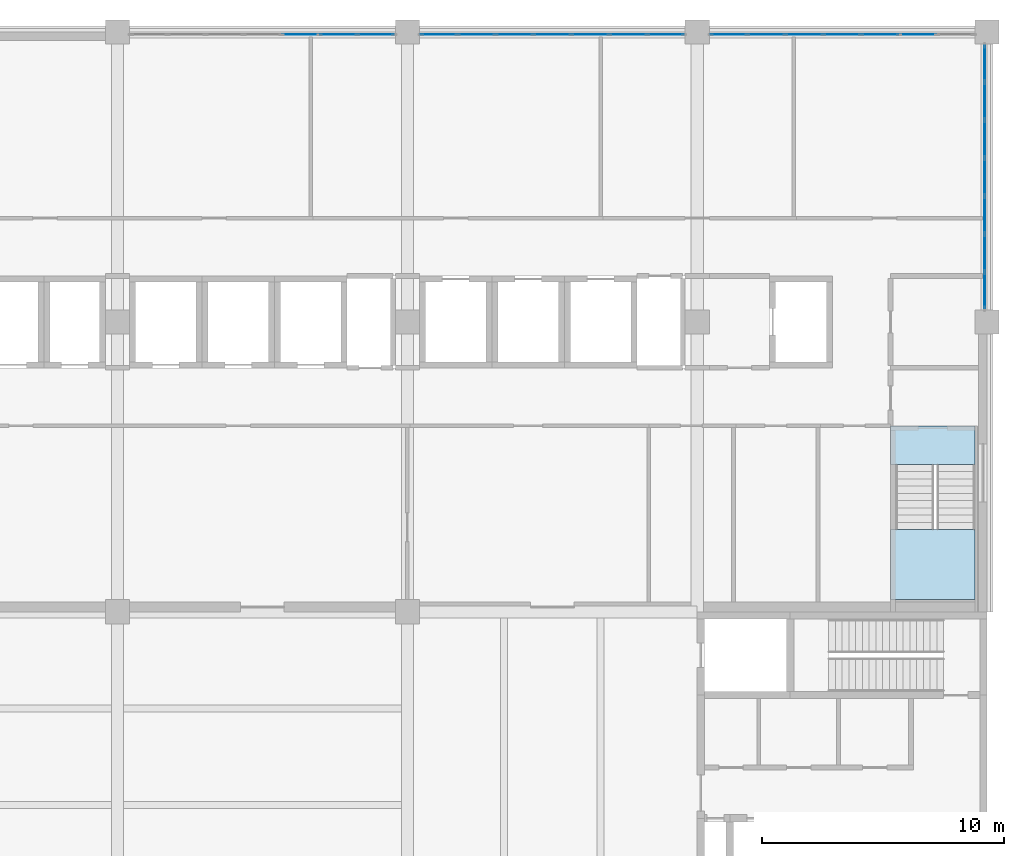
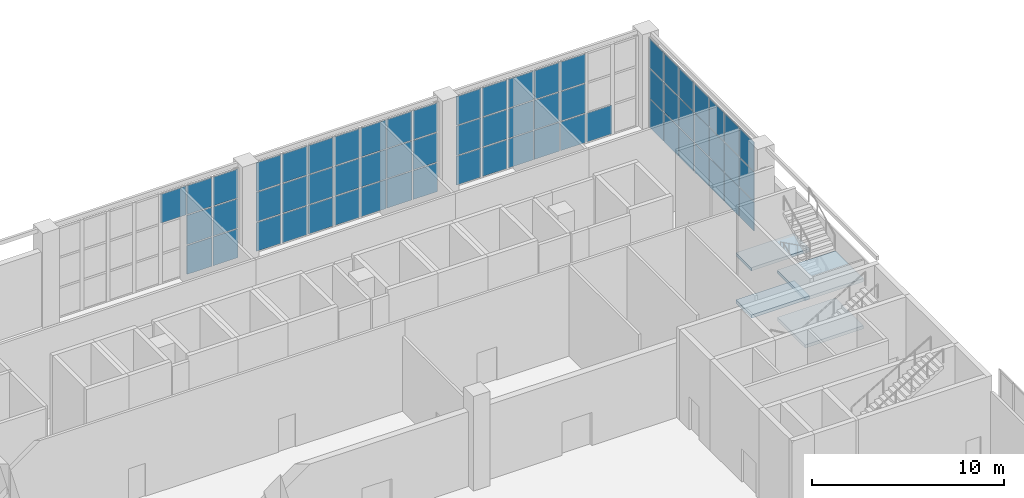
# One storey, part 48 of 72: 65 plates, 4 slabs, 5 elements without a shape of their own.
"""IFC4 building model written with IfcOpenShell, lengths in metres."""

from ifc_helpers import new_model, si_unit, direction, frame, origin, origin_2d, place, context, subcontext, project, spatial, polyline, rectangle, outline, extrude, material, layer, layer_set, type_object, element, aggregate, save


model = new_model("IFC4")

# Units and contexts
model_context = context("Model", 3, precision=1e-05, world=origin(), true_north=direction((0.0, 1.0)))
body_context = subcontext(model_context, "Body", "Model", "MODEL_VIEW")
ifc_project = project(units=[si_unit("LENGTHUNIT", "METRE"), si_unit("AREAUNIT", "SQUARE_METRE"), si_unit("VOLUMEUNIT", "CUBIC_METRE"), si_unit("PLANEANGLEUNIT", "RADIAN"), si_unit("MASSUNIT", "GRAM", prefix="KILO")], contexts=[model_context])

# Site, building, storey
site_placement = place(None, origin())
site = spatial("IfcSite", under=ifc_project, at=site_placement, CompositionType="ELEMENT")
building_placement = place(site_placement, origin())
building = spatial("IfcBuilding", under=site, at=building_placement, Name="Lilac Gate Convention Centre", CompositionType="ELEMENT")
storey_placement = place(building_placement, frame((0.0, 0.0, 6.0)))
storey = spatial("IfcBuildingStorey", under=building, at=storey_placement, Name="L01", CompositionType="ELEMENT", Elevation=6.0)

# Curtain wall, plates
ifc_material_1 = material(Name="Aluminium framed double glazing", Category="aluminium")
ifc_layer_1 = layer(ifc_material_1, 0.199951171875)
ifc_layer_set_1 = layer_set([ifc_layer_1], Name="Aluminium framed double glazing")
curtain_wall_type = type_object("IfcCurtainWallType", Name="Unitised curtain wall 1500", PredefinedType="NOTDEFINED", material=ifc_layer_set_1)
curtain_wall_1_placement = place(storey_placement, origin())
curtain_wall_1 = element("IfcCurtainWall", 1, at=curtain_wall_1_placement, inside=storey, type_object=curtain_wall_type, Name="Curtain wall E L01 2", PredefinedType="NOTDEFINED")
ifc_material_2 = material(Name="Double glazed unit low emissivity")
ifc_layer_2 = layer(ifc_material_2, 0.028076171875)
ifc_layer_set_2 = layer_set([ifc_layer_2], Name="Double glazed unit low emissivity")
plate_type_1 = type_object("IfcPlateType", Name="Curtain wall glass panel 28", PredefinedType="CURTAIN_PANEL", material=ifc_layer_set_2)
plate_1_placement = place(storey_placement, frame((89.89990234375, 235.30078125, 1.94677734375), z_axis=(0.0, 0.0, 1.0), x_axis=(0.0, 1.0, 0.0)))
plate_1 = element("IfcPlate", 2, at=plate_1_placement, type_object=plate_type_1, Name="CW panel 1.2", PredefinedType="CURTAIN_PANEL", context=body_context, shape_type="SweptSolid", body=[
    extrude(rectangle(XDim=1.4814453125, YDim=0.028076171875, at=origin_2d()), origin(), (0.0, 0.0, 1.0), 1.856689453125),
])
plate_2_placement = place(storey_placement, frame((89.89990234375, 235.30078125, 3.86328125), z_axis=(0.0, 0.0, 1.0), x_axis=(0.0, 1.0, 0.0)))
plate_2 = element("IfcPlate", 3, at=plate_2_placement, type_object=plate_type_1, Name="CW panel 1.3", PredefinedType="CURTAIN_PANEL", context=body_context, shape_type="SweptSolid", body=[
    extrude(rectangle(XDim=1.4814453125, YDim=0.028076171875, at=origin_2d()), origin(), (0.0, 0.0, 1.0), 1.82666015625),
])
plate_3_placement = place(storey_placement, frame((89.89990234375, 236.857177734375, 1.94677734375), z_axis=(0.0, 0.0, 1.0), x_axis=(0.0, 1.0, 0.0)))
plate_3 = element("IfcPlate", 4, at=plate_3_placement, type_object=plate_type_1, Name="CW panel 2.2", PredefinedType="CURTAIN_PANEL", context=body_context, shape_type="SweptSolid", body=[
    extrude(rectangle(XDim=1.511474609375, YDim=0.028076171875, at=origin_2d()), origin(), (0.0, 0.0, 1.0), 1.856689453125),
])
plate_4_placement = place(storey_placement, frame((89.89990234375, 236.857177734375, 3.86328125), z_axis=(0.0, 0.0, 1.0), x_axis=(0.0, 1.0, 0.0)))
plate_4 = element("IfcPlate", 5, at=plate_4_placement, type_object=plate_type_1, Name="CW panel 2.3", PredefinedType="CURTAIN_PANEL", context=body_context, shape_type="SweptSolid", body=[
    extrude(rectangle(XDim=1.511474609375, YDim=0.028076171875, at=origin_2d()), origin(), (0.0, 0.0, 1.0), 1.82666015625),
])
plate_5_placement = place(storey_placement, frame((89.89990234375, 238.428466796875, 1.94677734375), z_axis=(0.0, 0.0, 1.0), x_axis=(0.0, 1.0, 0.0)))
plate_5 = element("IfcPlate", 6, at=plate_5_placement, type_object=plate_type_1, Name="CW panel 3.2", PredefinedType="CURTAIN_PANEL", context=body_context, shape_type="SweptSolid", body=[
    extrude(rectangle(XDim=1.511474609375, YDim=0.028076171875, at=origin_2d()), origin(), (0.0, 0.0, 1.0), 1.856689453125),
])
plate_6_placement = place(storey_placement, frame((89.89990234375, 238.428466796875, 3.86328125), z_axis=(0.0, 0.0, 1.0), x_axis=(0.0, 1.0, 0.0)))
plate_6 = element("IfcPlate", 7, at=plate_6_placement, type_object=plate_type_1, Name="CW panel 3.3", PredefinedType="CURTAIN_PANEL", context=body_context, shape_type="SweptSolid", body=[
    extrude(rectangle(XDim=1.511474609375, YDim=0.028076171875, at=origin_2d()), origin(), (0.0, 0.0, 1.0), 1.82666015625),
])
plate_7_placement = place(storey_placement, frame((89.89990234375, 240.0, 1.94677734375), z_axis=(0.0, 0.0, 1.0), x_axis=(0.0, 1.0, 0.0)))
plate_7 = element("IfcPlate", 8, at=plate_7_placement, type_object=plate_type_1, Name="CW panel 4.2", PredefinedType="CURTAIN_PANEL", context=body_context, shape_type="SweptSolid", body=[
    extrude(rectangle(XDim=1.511474609375, YDim=0.028076171875, at=origin_2d()), origin(), (0.0, 0.0, 1.0), 1.856689453125),
])
plate_8_placement = place(storey_placement, frame((89.89990234375, 240.0, 3.86328125), z_axis=(0.0, 0.0, 1.0), x_axis=(0.0, 1.0, 0.0)))
plate_8 = element("IfcPlate", 9, at=plate_8_placement, type_object=plate_type_1, Name="CW panel 4.3", PredefinedType="CURTAIN_PANEL", context=body_context, shape_type="SweptSolid", body=[
    extrude(rectangle(XDim=1.511474609375, YDim=0.028076171875, at=origin_2d()), origin(), (0.0, 0.0, 1.0), 1.82666015625),
])
plate_9_placement = place(storey_placement, frame((89.89990234375, 241.571533203125, 1.94677734375), z_axis=(0.0, 0.0, 1.0), x_axis=(0.0, 1.0, 0.0)))
plate_9 = element("IfcPlate", 10, at=plate_9_placement, type_object=plate_type_1, Name="CW panel 5.2", PredefinedType="CURTAIN_PANEL", context=body_context, shape_type="SweptSolid", body=[
    extrude(rectangle(XDim=1.511474609375, YDim=0.028076171875, at=origin_2d()), origin(), (0.0, 0.0, 1.0), 1.856689453125),
])
plate_10_placement = place(storey_placement, frame((89.89990234375, 241.571533203125, 3.86328125), z_axis=(0.0, 0.0, 1.0), x_axis=(0.0, 1.0, 0.0)))
plate_10 = element("IfcPlate", 11, at=plate_10_placement, type_object=plate_type_1, Name="CW panel 5.3", PredefinedType="CURTAIN_PANEL", context=body_context, shape_type="SweptSolid", body=[
    extrude(rectangle(XDim=1.511474609375, YDim=0.028076171875, at=origin_2d()), origin(), (0.0, 0.0, 1.0), 1.82666015625),
])
plate_11_placement = place(storey_placement, frame((89.89990234375, 243.142822265625, 1.94677734375), z_axis=(0.0, 0.0, 1.0), x_axis=(0.0, 1.0, 0.0)))
plate_11 = element("IfcPlate", 12, at=plate_11_placement, type_object=plate_type_1, Name="CW panel 6.2", PredefinedType="CURTAIN_PANEL", context=body_context, shape_type="SweptSolid", body=[
    extrude(rectangle(XDim=1.511474609375, YDim=0.028076171875, at=origin_2d()), origin(), (0.0, 0.0, 1.0), 1.856689453125),
])
plate_12_placement = place(storey_placement, frame((89.89990234375, 243.142822265625, 3.86328125), z_axis=(0.0, 0.0, 1.0), x_axis=(0.0, 1.0, 0.0)))
plate_12 = element("IfcPlate", 13, at=plate_12_placement, type_object=plate_type_1, Name="CW panel 6.3", PredefinedType="CURTAIN_PANEL", context=body_context, shape_type="SweptSolid", body=[
    extrude(rectangle(XDim=1.511474609375, YDim=0.028076171875, at=origin_2d()), origin(), (0.0, 0.0, 1.0), 1.82666015625),
])
plate_13_placement = place(storey_placement, frame((89.89990234375, 244.69921875, 1.94677734375), z_axis=(0.0, 0.0, 1.0), x_axis=(0.0, 1.0, 0.0)))
plate_13 = element("IfcPlate", 14, at=plate_13_placement, type_object=plate_type_1, Name="CW panel 7.2", PredefinedType="CURTAIN_PANEL", context=body_context, shape_type="SweptSolid", body=[
    extrude(rectangle(XDim=1.4814453125, YDim=0.028076171875, at=origin_2d()), origin(), (0.0, 0.0, 1.0), 1.856689453125),
])
plate_14_placement = place(storey_placement, frame((89.89990234375, 244.69921875, 3.86328125), z_axis=(0.0, 0.0, 1.0), x_axis=(0.0, 1.0, 0.0)))
plate_14 = element("IfcPlate", 15, at=plate_14_placement, type_object=plate_type_1, Name="CW panel 7.3", PredefinedType="CURTAIN_PANEL", context=body_context, shape_type="SweptSolid", body=[
    extrude(rectangle(XDim=1.4814453125, YDim=0.028076171875, at=origin_2d()), origin(), (0.0, 0.0, 1.0), 1.82666015625),
])

curtain_wall_2_placement = place(storey_placement, origin())
curtain_wall_2 = element("IfcCurtainWall", 16, at=curtain_wall_2_placement, inside=storey, type_object=curtain_wall_type, Name="Curtain wall N L01 1", PredefinedType="NOTDEFINED")
plate_15_placement = place(storey_placement, frame((85.571533203125, 245.89990234375, 1.94677734375), z_axis=(0.0, 0.0, 1.0), x_axis=(-1.0, 0.0, 0.0)))
plate_15 = element("IfcPlate", 17, at=plate_15_placement, type_object=plate_type_1, Name="CW panel 3.2", PredefinedType="CURTAIN_PANEL", context=body_context, shape_type="SweptSolid", body=[
    extrude(rectangle(XDim=1.511474609375, YDim=0.028076171875, at=origin_2d()), origin(), (0.0, 0.0, 1.0), 1.856689453125),
])
plate_16_placement = place(storey_placement, frame((85.571533203125, 245.89990234375, 3.86328125), z_axis=(0.0, 0.0, 1.0), x_axis=(-1.0, 0.0, 0.0)))
plate_16 = element("IfcPlate", 18, at=plate_16_placement, type_object=plate_type_1, Name="CW panel 3.3", PredefinedType="CURTAIN_PANEL", context=body_context, shape_type="SweptSolid", body=[
    extrude(rectangle(XDim=1.511474609375, YDim=0.028076171875, at=origin_2d()), origin(), (0.0, 0.0, 1.0), 1.82666015625),
])
plate_17_placement = place(storey_placement, frame((84.0, 245.89990234375, 1.94677734375), z_axis=(0.0, 0.0, 1.0), x_axis=(-1.0, 0.0, 0.0)))
plate_17 = element("IfcPlate", 19, at=plate_17_placement, type_object=plate_type_1, Name="CW panel 4.2", PredefinedType="CURTAIN_PANEL", context=body_context, shape_type="SweptSolid", body=[
    extrude(rectangle(XDim=1.511474609375, YDim=0.028076171875, at=origin_2d()), origin(), (0.0, 0.0, 1.0), 1.856689453125),
])
plate_18_placement = place(storey_placement, frame((84.0, 245.89990234375, 3.86328125), z_axis=(0.0, 0.0, 1.0), x_axis=(-1.0, 0.0, 0.0)))
plate_18 = element("IfcPlate", 20, at=plate_18_placement, type_object=plate_type_1, Name="CW panel 4.3", PredefinedType="CURTAIN_PANEL", context=body_context, shape_type="SweptSolid", body=[
    extrude(rectangle(XDim=1.511474609375, YDim=0.028076171875, at=origin_2d()), origin(), (0.0, 0.0, 1.0), 1.82666015625),
])
plate_19_placement = place(storey_placement, frame((82.428466796875, 245.89990234375, 1.94677734375), z_axis=(0.0, 0.0, 1.0), x_axis=(-1.0, 0.0, 0.0)))
plate_19 = element("IfcPlate", 21, at=plate_19_placement, type_object=plate_type_1, Name="CW panel 5.2", PredefinedType="CURTAIN_PANEL", context=body_context, shape_type="SweptSolid", body=[
    extrude(rectangle(XDim=1.511474609375, YDim=0.028076171875, at=origin_2d()), origin(), (0.0, 0.0, 1.0), 1.856689453125),
])
plate_20_placement = place(storey_placement, frame((82.428466796875, 245.89990234375, 3.86328125), z_axis=(0.0, 0.0, 1.0), x_axis=(-1.0, 0.0, 0.0)))
plate_20 = element("IfcPlate", 22, at=plate_20_placement, type_object=plate_type_1, Name="CW panel 5.3", PredefinedType="CURTAIN_PANEL", context=body_context, shape_type="SweptSolid", body=[
    extrude(rectangle(XDim=1.511474609375, YDim=0.028076171875, at=origin_2d()), origin(), (0.0, 0.0, 1.0), 1.82666015625),
])
plate_21_placement = place(storey_placement, frame((80.857177734375, 245.89990234375, 1.94677734375), z_axis=(0.0, 0.0, 1.0), x_axis=(-1.0, 0.0, 0.0)))
plate_21 = element("IfcPlate", 23, at=plate_21_placement, type_object=plate_type_1, Name="CW panel 6.2", PredefinedType="CURTAIN_PANEL", context=body_context, shape_type="SweptSolid", body=[
    extrude(rectangle(XDim=1.511474609375, YDim=0.028076171875, at=origin_2d()), origin(), (0.0, 0.0, 1.0), 1.856689453125),
])
plate_22_placement = place(storey_placement, frame((80.857177734375, 245.89990234375, 3.86328125), z_axis=(0.0, 0.0, 1.0), x_axis=(-1.0, 0.0, 0.0)))
plate_22 = element("IfcPlate", 24, at=plate_22_placement, type_object=plate_type_1, Name="CW panel 6.3", PredefinedType="CURTAIN_PANEL", context=body_context, shape_type="SweptSolid", body=[
    extrude(rectangle(XDim=1.511474609375, YDim=0.028076171875, at=origin_2d()), origin(), (0.0, 0.0, 1.0), 1.82666015625),
])
plate_23_placement = place(storey_placement, frame((79.30078125, 245.89990234375, 1.94677734375), z_axis=(0.0, 0.0, 1.0), x_axis=(-1.0, 0.0, 0.0)))
plate_23 = element("IfcPlate", 25, at=plate_23_placement, type_object=plate_type_1, Name="CW panel 7.2", PredefinedType="CURTAIN_PANEL", context=body_context, shape_type="SweptSolid", body=[
    extrude(rectangle(XDim=1.4814453125, YDim=0.028076171875, at=origin_2d()), origin(), (0.0, 0.0, 1.0), 1.856689453125),
])
plate_24_placement = place(storey_placement, frame((79.30078125, 245.89990234375, 3.86328125), z_axis=(0.0, 0.0, 1.0), x_axis=(-1.0, 0.0, 0.0)))
plate_24 = element("IfcPlate", 26, at=plate_24_placement, type_object=plate_type_1, Name="CW panel 7.3", PredefinedType="CURTAIN_PANEL", context=body_context, shape_type="SweptSolid", body=[
    extrude(rectangle(XDim=1.4814453125, YDim=0.028076171875, at=origin_2d()), origin(), (0.0, 0.0, 1.0), 1.82666015625),
])

curtain_wall_3_placement = place(storey_placement, origin())
curtain_wall_3 = element("IfcCurtainWall", 27, at=curtain_wall_3_placement, inside=storey, type_object=curtain_wall_type, Name="Curtain wall N L01 2", PredefinedType="NOTDEFINED")
plate_25_placement = place(storey_placement, frame((76.69921875, 245.89990234375, 1.94677734375), z_axis=(0.0, 0.0, 1.0), x_axis=(-1.0, 0.0, 0.0)))
plate_25 = element("IfcPlate", 28, at=plate_25_placement, type_object=plate_type_1, Name="CW panel 1.2", PredefinedType="CURTAIN_PANEL", context=body_context, shape_type="SweptSolid", body=[
    extrude(rectangle(XDim=1.4814453125, YDim=0.028076171875, at=origin_2d()), origin(), (0.0, 0.0, 1.0), 1.856689453125),
])
plate_26_placement = place(storey_placement, frame((76.69921875, 245.89990234375, 3.86328125), z_axis=(0.0, 0.0, 1.0), x_axis=(-1.0, 0.0, 0.0)))
plate_26 = element("IfcPlate", 29, at=plate_26_placement, type_object=plate_type_1, Name="CW panel 1.3", PredefinedType="CURTAIN_PANEL", context=body_context, shape_type="SweptSolid", body=[
    extrude(rectangle(XDim=1.4814453125, YDim=0.028076171875, at=origin_2d()), origin(), (0.0, 0.0, 1.0), 1.82666015625),
])
plate_27_placement = place(storey_placement, frame((75.142822265625, 245.89990234375, 1.94677734375), z_axis=(0.0, 0.0, 1.0), x_axis=(-1.0, 0.0, 0.0)))
plate_27 = element("IfcPlate", 30, at=plate_27_placement, type_object=plate_type_1, Name="CW panel 2.2", PredefinedType="CURTAIN_PANEL", context=body_context, shape_type="SweptSolid", body=[
    extrude(rectangle(XDim=1.511474609375, YDim=0.028076171875, at=origin_2d()), origin(), (0.0, 0.0, 1.0), 1.856689453125),
])
plate_28_placement = place(storey_placement, frame((75.142822265625, 245.89990234375, 3.86328125), z_axis=(0.0, 0.0, 1.0), x_axis=(-1.0, 0.0, 0.0)))
plate_28 = element("IfcPlate", 31, at=plate_28_placement, type_object=plate_type_1, Name="CW panel 2.3", PredefinedType="CURTAIN_PANEL", context=body_context, shape_type="SweptSolid", body=[
    extrude(rectangle(XDim=1.511474609375, YDim=0.028076171875, at=origin_2d()), origin(), (0.0, 0.0, 1.0), 1.82666015625),
])
plate_29_placement = place(storey_placement, frame((73.571533203125, 245.89990234375, 1.94677734375), z_axis=(0.0, 0.0, 1.0), x_axis=(-1.0, 0.0, 0.0)))
plate_29 = element("IfcPlate", 32, at=plate_29_placement, type_object=plate_type_1, Name="CW panel 3.2", PredefinedType="CURTAIN_PANEL", context=body_context, shape_type="SweptSolid", body=[
    extrude(rectangle(XDim=1.511474609375, YDim=0.028076171875, at=origin_2d()), origin(), (0.0, 0.0, 1.0), 1.856689453125),
])
plate_30_placement = place(storey_placement, frame((73.571533203125, 245.89990234375, 3.86328125), z_axis=(0.0, 0.0, 1.0), x_axis=(-1.0, 0.0, 0.0)))
plate_30 = element("IfcPlate", 33, at=plate_30_placement, type_object=plate_type_1, Name="CW panel 3.3", PredefinedType="CURTAIN_PANEL", context=body_context, shape_type="SweptSolid", body=[
    extrude(rectangle(XDim=1.511474609375, YDim=0.028076171875, at=origin_2d()), origin(), (0.0, 0.0, 1.0), 1.82666015625),
])
plate_31_placement = place(storey_placement, frame((72.0, 245.89990234375, 1.94677734375), z_axis=(0.0, 0.0, 1.0), x_axis=(-1.0, 0.0, 0.0)))
plate_31 = element("IfcPlate", 34, at=plate_31_placement, type_object=plate_type_1, Name="CW panel 4.2", PredefinedType="CURTAIN_PANEL", context=body_context, shape_type="SweptSolid", body=[
    extrude(rectangle(XDim=1.511474609375, YDim=0.028076171875, at=origin_2d()), origin(), (0.0, 0.0, 1.0), 1.856689453125),
])
plate_32_placement = place(storey_placement, frame((72.0, 245.89990234375, 3.86328125), z_axis=(0.0, 0.0, 1.0), x_axis=(-1.0, 0.0, 0.0)))
plate_32 = element("IfcPlate", 35, at=plate_32_placement, type_object=plate_type_1, Name="CW panel 4.3", PredefinedType="CURTAIN_PANEL", context=body_context, shape_type="SweptSolid", body=[
    extrude(rectangle(XDim=1.511474609375, YDim=0.028076171875, at=origin_2d()), origin(), (0.0, 0.0, 1.0), 1.82666015625),
])
plate_33_placement = place(storey_placement, frame((70.428466796875, 245.89990234375, 1.94677734375), z_axis=(0.0, 0.0, 1.0), x_axis=(-1.0, 0.0, 0.0)))
plate_33 = element("IfcPlate", 36, at=plate_33_placement, type_object=plate_type_1, Name="CW panel 5.2", PredefinedType="CURTAIN_PANEL", context=body_context, shape_type="SweptSolid", body=[
    extrude(rectangle(XDim=1.511474609375, YDim=0.028076171875, at=origin_2d()), origin(), (0.0, 0.0, 1.0), 1.856689453125),
])
plate_34_placement = place(storey_placement, frame((70.428466796875, 245.89990234375, 3.86328125), z_axis=(0.0, 0.0, 1.0), x_axis=(-1.0, 0.0, 0.0)))
plate_34 = element("IfcPlate", 37, at=plate_34_placement, type_object=plate_type_1, Name="CW panel 5.3", PredefinedType="CURTAIN_PANEL", context=body_context, shape_type="SweptSolid", body=[
    extrude(rectangle(XDim=1.511474609375, YDim=0.028076171875, at=origin_2d()), origin(), (0.0, 0.0, 1.0), 1.82666015625),
])
plate_35_placement = place(storey_placement, frame((68.857177734375, 245.89990234375, 1.94677734375), z_axis=(0.0, 0.0, 1.0), x_axis=(-1.0, 0.0, 0.0)))
plate_35 = element("IfcPlate", 38, at=plate_35_placement, type_object=plate_type_1, Name="CW panel 6.2", PredefinedType="CURTAIN_PANEL", context=body_context, shape_type="SweptSolid", body=[
    extrude(rectangle(XDim=1.511474609375, YDim=0.028076171875, at=origin_2d()), origin(), (0.0, 0.0, 1.0), 1.856689453125),
])
plate_36_placement = place(storey_placement, frame((68.857177734375, 245.89990234375, 3.86328125), z_axis=(0.0, 0.0, 1.0), x_axis=(-1.0, 0.0, 0.0)))
plate_36 = element("IfcPlate", 39, at=plate_36_placement, type_object=plate_type_1, Name="CW panel 6.3", PredefinedType="CURTAIN_PANEL", context=body_context, shape_type="SweptSolid", body=[
    extrude(rectangle(XDim=1.511474609375, YDim=0.028076171875, at=origin_2d()), origin(), (0.0, 0.0, 1.0), 1.82666015625),
])
plate_37_placement = place(storey_placement, frame((67.30078125, 245.89990234375, 1.94677734375), z_axis=(0.0, 0.0, 1.0), x_axis=(-1.0, 0.0, 0.0)))
plate_37 = element("IfcPlate", 40, at=plate_37_placement, type_object=plate_type_1, Name="CW panel 7.2", PredefinedType="CURTAIN_PANEL", context=body_context, shape_type="SweptSolid", body=[
    extrude(rectangle(XDim=1.4814453125, YDim=0.028076171875, at=origin_2d()), origin(), (0.0, 0.0, 1.0), 1.856689453125),
])
plate_38_placement = place(storey_placement, frame((67.30078125, 245.89990234375, 3.86328125), z_axis=(0.0, 0.0, 1.0), x_axis=(-1.0, 0.0, 0.0)))
plate_38 = element("IfcPlate", 41, at=plate_38_placement, type_object=plate_type_1, Name="CW panel 7.3", PredefinedType="CURTAIN_PANEL", context=body_context, shape_type="SweptSolid", body=[
    extrude(rectangle(XDim=1.4814453125, YDim=0.028076171875, at=origin_2d()), origin(), (0.0, 0.0, 1.0), 1.82666015625),
])

curtain_wall_4_placement = place(storey_placement, origin())
curtain_wall_4 = element("IfcCurtainWall", 42, at=curtain_wall_4_placement, inside=storey, type_object=curtain_wall_type, Name="Curtain wall N L01 3", PredefinedType="NOTDEFINED")
plate_39_placement = place(storey_placement, frame((64.69921875, 245.89990234375, 1.94677734375), z_axis=(0.0, 0.0, 1.0), x_axis=(-1.0, 0.0, 0.0)))
plate_39 = element("IfcPlate", 43, at=plate_39_placement, type_object=plate_type_1, Name="CW panel 1.2", PredefinedType="CURTAIN_PANEL", context=body_context, shape_type="SweptSolid", body=[
    extrude(rectangle(XDim=1.4814453125, YDim=0.028076171875, at=origin_2d()), origin(), (0.0, 0.0, 1.0), 1.856689453125),
])
plate_40_placement = place(storey_placement, frame((64.69921875, 245.89990234375, 3.86328125), z_axis=(0.0, 0.0, 1.0), x_axis=(-1.0, 0.0, 0.0)))
plate_40 = element("IfcPlate", 44, at=plate_40_placement, type_object=plate_type_1, Name="CW panel 1.3", PredefinedType="CURTAIN_PANEL", context=body_context, shape_type="SweptSolid", body=[
    extrude(rectangle(XDim=1.4814453125, YDim=0.028076171875, at=origin_2d()), origin(), (0.0, 0.0, 1.0), 1.82666015625),
])
plate_41_placement = place(storey_placement, frame((63.142822265625, 245.89990234375, 1.94677734375), z_axis=(0.0, 0.0, 1.0), x_axis=(-1.0, 0.0, 0.0)))
plate_41 = element("IfcPlate", 45, at=plate_41_placement, type_object=plate_type_1, Name="CW panel 2.2", PredefinedType="CURTAIN_PANEL", context=body_context, shape_type="SweptSolid", body=[
    extrude(rectangle(XDim=1.511474609375, YDim=0.028076171875, at=origin_2d()), origin(), (0.0, 0.0, 1.0), 1.856689453125),
])
plate_42_placement = place(storey_placement, frame((63.142822265625, 245.89990234375, 3.86328125), z_axis=(0.0, 0.0, 1.0), x_axis=(-1.0, 0.0, 0.0)))
plate_42 = element("IfcPlate", 46, at=plate_42_placement, type_object=plate_type_1, Name="CW panel 2.3", PredefinedType="CURTAIN_PANEL", context=body_context, shape_type="SweptSolid", body=[
    extrude(rectangle(XDim=1.511474609375, YDim=0.028076171875, at=origin_2d()), origin(), (0.0, 0.0, 1.0), 1.82666015625),
])
plate_43_placement = place(storey_placement, frame((61.571533203125, 245.89990234375, 3.86328125), z_axis=(0.0, 0.0, 1.0), x_axis=(-1.0, 0.0, 0.0)))
plate_43 = element("IfcPlate", 47, at=plate_43_placement, type_object=plate_type_1, Name="CW panel 3.3", PredefinedType="CURTAIN_PANEL", context=body_context, shape_type="SweptSolid", body=[
    extrude(rectangle(XDim=1.511474609375, YDim=0.028076171875, at=origin_2d()), origin(), (0.0, 0.0, 1.0), 1.82666015625),
])

# Plate
ifc_material_3 = material(Name="Insulated aluminium spandrel panel", Category="aluminium")
ifc_layer_3 = layer(ifc_material_3, 0.028076171875)
ifc_layer_set_3 = layer_set([ifc_layer_3], Name="Insulated aluminium spandrel panel")
plate_type_2 = type_object("IfcPlateType", Name="Curtain wall spandrel panel 28", PredefinedType="CURTAIN_PANEL", material=ifc_layer_set_3)
plate_44_placement = place(storey_placement, frame((89.89990234375, 235.30078125, 0.06005859375), z_axis=(0.0, 0.0, 1.0), x_axis=(0.0, 1.0, 0.0)))
plate_44 = element("IfcPlate", 48, at=plate_44_placement, type_object=plate_type_2, Name="CW spandrel 1.1", PredefinedType="CURTAIN_PANEL", context=body_context, shape_type="SweptSolid", body=[
    extrude(rectangle(XDim=1.4814453125, YDim=0.028076171875, at=origin_2d()), origin(), (0.0, 0.0, 1.0), 1.82666015625),
])

plate_45_placement = place(storey_placement, frame((89.89990234375, 236.857177734375, 0.06005859375), z_axis=(0.0, 0.0, 1.0), x_axis=(0.0, 1.0, 0.0)))
plate_45 = element("IfcPlate", 49, at=plate_45_placement, type_object=plate_type_2, Name="CW spandrel 2.1", PredefinedType="CURTAIN_PANEL", context=body_context, shape_type="SweptSolid", body=[
    extrude(rectangle(XDim=1.511474609375, YDim=0.028076171875, at=origin_2d()), origin(), (0.0, 0.0, 1.0), 1.82666015625),
])

plate_46_placement = place(storey_placement, frame((89.89990234375, 238.428466796875, 0.06005859375), z_axis=(0.0, 0.0, 1.0), x_axis=(0.0, 1.0, 0.0)))
plate_46 = element("IfcPlate", 50, at=plate_46_placement, type_object=plate_type_2, Name="CW spandrel 3.1", PredefinedType="CURTAIN_PANEL", context=body_context, shape_type="SweptSolid", body=[
    extrude(rectangle(XDim=1.511474609375, YDim=0.028076171875, at=origin_2d()), origin(), (0.0, 0.0, 1.0), 1.82666015625),
])

plate_47_placement = place(storey_placement, frame((89.89990234375, 240.0, 0.06005859375), z_axis=(0.0, 0.0, 1.0), x_axis=(0.0, 1.0, 0.0)))
plate_47 = element("IfcPlate", 51, at=plate_47_placement, type_object=plate_type_2, Name="CW spandrel 4.1", PredefinedType="CURTAIN_PANEL", context=body_context, shape_type="SweptSolid", body=[
    extrude(rectangle(XDim=1.511474609375, YDim=0.028076171875, at=origin_2d()), origin(), (0.0, 0.0, 1.0), 1.82666015625),
])

plate_48_placement = place(storey_placement, frame((89.89990234375, 241.571533203125, 0.06005859375), z_axis=(0.0, 0.0, 1.0), x_axis=(0.0, 1.0, 0.0)))
plate_48 = element("IfcPlate", 52, at=plate_48_placement, type_object=plate_type_2, Name="CW spandrel 5.1", PredefinedType="CURTAIN_PANEL", context=body_context, shape_type="SweptSolid", body=[
    extrude(rectangle(XDim=1.511474609375, YDim=0.028076171875, at=origin_2d()), origin(), (0.0, 0.0, 1.0), 1.82666015625),
])

plate_49_placement = place(storey_placement, frame((89.89990234375, 243.142822265625, 0.06005859375), z_axis=(0.0, 0.0, 1.0), x_axis=(0.0, 1.0, 0.0)))
plate_49 = element("IfcPlate", 53, at=plate_49_placement, type_object=plate_type_2, Name="CW spandrel 6.1", PredefinedType="CURTAIN_PANEL", context=body_context, shape_type="SweptSolid", body=[
    extrude(rectangle(XDim=1.511474609375, YDim=0.028076171875, at=origin_2d()), origin(), (0.0, 0.0, 1.0), 1.82666015625),
])

plate_50_placement = place(storey_placement, frame((89.89990234375, 244.69921875, 0.06005859375), z_axis=(0.0, 0.0, 1.0), x_axis=(0.0, 1.0, 0.0)))
plate_50 = element("IfcPlate", 54, at=plate_50_placement, type_object=plate_type_2, Name="CW spandrel 7.1", PredefinedType="CURTAIN_PANEL", context=body_context, shape_type="SweptSolid", body=[
    extrude(rectangle(XDim=1.4814453125, YDim=0.028076171875, at=origin_2d()), origin(), (0.0, 0.0, 1.0), 1.82666015625),
])

aggregate(curtain_wall_1, [plate_44, plate_1, plate_2, plate_45, plate_3, plate_4, plate_46, plate_5, plate_6, plate_47, plate_7, plate_8, plate_48, plate_9, plate_10, plate_49, plate_11, plate_12, plate_50, plate_13, plate_14])

plate_51_placement = place(storey_placement, frame((87.142822265625, 245.89990234375, 0.06005859375), z_axis=(0.0, 0.0, 1.0), x_axis=(-1.0, 0.0, 0.0)))
plate_51 = element("IfcPlate", 55, at=plate_51_placement, type_object=plate_type_2, Name="CW spandrel 2.1", PredefinedType="CURTAIN_PANEL", context=body_context, shape_type="SweptSolid", body=[
    extrude(rectangle(XDim=1.511474609375, YDim=0.028076171875, at=origin_2d()), origin(), (0.0, 0.0, 1.0), 1.82666015625),
])

plate_52_placement = place(storey_placement, frame((85.571533203125, 245.89990234375, 0.06005859375), z_axis=(0.0, 0.0, 1.0), x_axis=(-1.0, 0.0, 0.0)))
plate_52 = element("IfcPlate", 56, at=plate_52_placement, type_object=plate_type_2, Name="CW spandrel 3.1", PredefinedType="CURTAIN_PANEL", context=body_context, shape_type="SweptSolid", body=[
    extrude(rectangle(XDim=1.511474609375, YDim=0.028076171875, at=origin_2d()), origin(), (0.0, 0.0, 1.0), 1.82666015625),
])

plate_53_placement = place(storey_placement, frame((84.0, 245.89990234375, 0.06005859375), z_axis=(0.0, 0.0, 1.0), x_axis=(-1.0, 0.0, 0.0)))
plate_53 = element("IfcPlate", 57, at=plate_53_placement, type_object=plate_type_2, Name="CW spandrel 4.1", PredefinedType="CURTAIN_PANEL", context=body_context, shape_type="SweptSolid", body=[
    extrude(rectangle(XDim=1.511474609375, YDim=0.028076171875, at=origin_2d()), origin(), (0.0, 0.0, 1.0), 1.82666015625),
])

plate_54_placement = place(storey_placement, frame((82.428466796875, 245.89990234375, 0.06005859375), z_axis=(0.0, 0.0, 1.0), x_axis=(-1.0, 0.0, 0.0)))
plate_54 = element("IfcPlate", 58, at=plate_54_placement, type_object=plate_type_2, Name="CW spandrel 5.1", PredefinedType="CURTAIN_PANEL", context=body_context, shape_type="SweptSolid", body=[
    extrude(rectangle(XDim=1.511474609375, YDim=0.028076171875, at=origin_2d()), origin(), (0.0, 0.0, 1.0), 1.82666015625),
])

plate_55_placement = place(storey_placement, frame((80.857177734375, 245.89990234375, 0.06005859375), z_axis=(0.0, 0.0, 1.0), x_axis=(-1.0, 0.0, 0.0)))
plate_55 = element("IfcPlate", 59, at=plate_55_placement, type_object=plate_type_2, Name="CW spandrel 6.1", PredefinedType="CURTAIN_PANEL", context=body_context, shape_type="SweptSolid", body=[
    extrude(rectangle(XDim=1.511474609375, YDim=0.028076171875, at=origin_2d()), origin(), (0.0, 0.0, 1.0), 1.82666015625),
])

plate_56_placement = place(storey_placement, frame((79.30078125, 245.89990234375, 0.06005859375), z_axis=(0.0, 0.0, 1.0), x_axis=(-1.0, 0.0, 0.0)))
plate_56 = element("IfcPlate", 60, at=plate_56_placement, type_object=plate_type_2, Name="CW spandrel 7.1", PredefinedType="CURTAIN_PANEL", context=body_context, shape_type="SweptSolid", body=[
    extrude(rectangle(XDim=1.4814453125, YDim=0.028076171875, at=origin_2d()), origin(), (0.0, 0.0, 1.0), 1.82666015625),
])

aggregate(curtain_wall_2, [plate_51, plate_52, plate_15, plate_16, plate_53, plate_17, plate_18, plate_54, plate_19, plate_20, plate_55, plate_21, plate_22, plate_56, plate_23, plate_24])

plate_57_placement = place(storey_placement, frame((76.69921875, 245.89990234375, 0.06005859375), z_axis=(0.0, 0.0, 1.0), x_axis=(-1.0, 0.0, 0.0)))
plate_57 = element("IfcPlate", 61, at=plate_57_placement, type_object=plate_type_2, Name="CW spandrel 1.1", PredefinedType="CURTAIN_PANEL", context=body_context, shape_type="SweptSolid", body=[
    extrude(rectangle(XDim=1.4814453125, YDim=0.028076171875, at=origin_2d()), origin(), (0.0, 0.0, 1.0), 1.82666015625),
])

plate_58_placement = place(storey_placement, frame((75.142822265625, 245.89990234375, 0.06005859375), z_axis=(0.0, 0.0, 1.0), x_axis=(-1.0, 0.0, 0.0)))
plate_58 = element("IfcPlate", 62, at=plate_58_placement, type_object=plate_type_2, Name="CW spandrel 2.1", PredefinedType="CURTAIN_PANEL", context=body_context, shape_type="SweptSolid", body=[
    extrude(rectangle(XDim=1.511474609375, YDim=0.028076171875, at=origin_2d()), origin(), (0.0, 0.0, 1.0), 1.82666015625),
])

plate_59_placement = place(storey_placement, frame((73.571533203125, 245.89990234375, 0.06005859375), z_axis=(0.0, 0.0, 1.0), x_axis=(-1.0, 0.0, 0.0)))
plate_59 = element("IfcPlate", 63, at=plate_59_placement, type_object=plate_type_2, Name="CW spandrel 3.1", PredefinedType="CURTAIN_PANEL", context=body_context, shape_type="SweptSolid", body=[
    extrude(rectangle(XDim=1.511474609375, YDim=0.028076171875, at=origin_2d()), origin(), (0.0, 0.0, 1.0), 1.82666015625),
])

plate_60_placement = place(storey_placement, frame((72.0, 245.89990234375, 0.06005859375), z_axis=(0.0, 0.0, 1.0), x_axis=(-1.0, 0.0, 0.0)))
plate_60 = element("IfcPlate", 64, at=plate_60_placement, type_object=plate_type_2, Name="CW spandrel 4.1", PredefinedType="CURTAIN_PANEL", context=body_context, shape_type="SweptSolid", body=[
    extrude(rectangle(XDim=1.511474609375, YDim=0.028076171875, at=origin_2d()), origin(), (0.0, 0.0, 1.0), 1.82666015625),
])

plate_61_placement = place(storey_placement, frame((70.428466796875, 245.89990234375, 0.06005859375), z_axis=(0.0, 0.0, 1.0), x_axis=(-1.0, 0.0, 0.0)))
plate_61 = element("IfcPlate", 65, at=plate_61_placement, type_object=plate_type_2, Name="CW spandrel 5.1", PredefinedType="CURTAIN_PANEL", context=body_context, shape_type="SweptSolid", body=[
    extrude(rectangle(XDim=1.511474609375, YDim=0.028076171875, at=origin_2d()), origin(), (0.0, 0.0, 1.0), 1.82666015625),
])

plate_62_placement = place(storey_placement, frame((68.857177734375, 245.89990234375, 0.06005859375), z_axis=(0.0, 0.0, 1.0), x_axis=(-1.0, 0.0, 0.0)))
plate_62 = element("IfcPlate", 66, at=plate_62_placement, type_object=plate_type_2, Name="CW spandrel 6.1", PredefinedType="CURTAIN_PANEL", context=body_context, shape_type="SweptSolid", body=[
    extrude(rectangle(XDim=1.511474609375, YDim=0.028076171875, at=origin_2d()), origin(), (0.0, 0.0, 1.0), 1.82666015625),
])

plate_63_placement = place(storey_placement, frame((67.30078125, 245.89990234375, 0.06005859375), z_axis=(0.0, 0.0, 1.0), x_axis=(-1.0, 0.0, 0.0)))
plate_63 = element("IfcPlate", 67, at=plate_63_placement, type_object=plate_type_2, Name="CW spandrel 7.1", PredefinedType="CURTAIN_PANEL", context=body_context, shape_type="SweptSolid", body=[
    extrude(rectangle(XDim=1.4814453125, YDim=0.028076171875, at=origin_2d()), origin(), (0.0, 0.0, 1.0), 1.82666015625),
])

aggregate(curtain_wall_3, [plate_57, plate_25, plate_26, plate_58, plate_27, plate_28, plate_59, plate_29, plate_30, plate_60, plate_31, plate_32, plate_61, plate_33, plate_34, plate_62, plate_35, plate_36, plate_63, plate_37, plate_38])

plate_64_placement = place(storey_placement, frame((64.69921875, 245.89990234375, 0.06005859375), z_axis=(0.0, 0.0, 1.0), x_axis=(-1.0, 0.0, 0.0)))
plate_64 = element("IfcPlate", 68, at=plate_64_placement, type_object=plate_type_2, Name="CW spandrel 1.1", PredefinedType="CURTAIN_PANEL", context=body_context, shape_type="SweptSolid", body=[
    extrude(rectangle(XDim=1.4814453125, YDim=0.028076171875, at=origin_2d()), origin(), (0.0, 0.0, 1.0), 1.82666015625),
])

plate_65_placement = place(storey_placement, frame((63.142822265625, 245.89990234375, 0.06005859375), z_axis=(0.0, 0.0, 1.0), x_axis=(-1.0, 0.0, 0.0)))
plate_65 = element("IfcPlate", 69, at=plate_65_placement, type_object=plate_type_2, Name="CW spandrel 2.1", PredefinedType="CURTAIN_PANEL", context=body_context, shape_type="SweptSolid", body=[
    extrude(rectangle(XDim=1.511474609375, YDim=0.028076171875, at=origin_2d()), origin(), (0.0, 0.0, 1.0), 1.82666015625),
])

aggregate(curtain_wall_4, [plate_64, plate_39, plate_40, plate_65, plate_41, plate_42, plate_43])

# Stair, slabs
ifc_material_4 = material(Name="Concrete C40", Category="concrete")
stair_type = type_object("IfcStairType", Name="Exit stair", PredefinedType="DOUBLE_RETURN_STAIR", material=ifc_material_4)
stair_placement = place(storey_placement, origin())
stair = element("IfcStair", 70, at=stair_placement, inside=storey, type_object=stair_type, Name="Exit stair SE L01", PredefinedType="DOUBLE_RETURN_STAIR")
ifc_layer_4 = layer(ifc_material_4, 0.199951171875)
ifc_layer_set_4 = layer_set([ifc_layer_4], Name="Concrete C40")
slab_type = type_object("IfcSlabType", Name="Exit stair landing", PredefinedType="LANDING", material=ifc_layer_set_4)
slab_1_placement = place(storey_placement, frame((0.0, 0.0, -0.199951171875)))
slab_1 = element("IfcSlab", 71, at=slab_1_placement, type_object=slab_type, Name="ST-SE landing 1", PredefinedType="LANDING", context=body_context, shape_type="SweptSolid", body=[
    extrude(outline(polyline([(86.0, 228.10009765625), (89.5, 228.10009765625), (89.5, 229.699951171875), (86.0, 229.699951171875), (86.0, 228.10009765625)])), origin(), (0.0, 0.0, 1.0), 0.199951171875),
])
slab_2_placement = place(storey_placement, frame((0.0, 0.0, 1.300048828125)))
slab_2 = element("IfcSlab", 72, at=slab_2_placement, type_object=slab_type, Name="ST-SE landing 2", PredefinedType="LANDING", context=body_context, shape_type="SweptSolid", body=[
    extrude(outline(polyline([(86.0, 222.5), (89.5, 222.5), (89.5, 225.39990234375), (86.0, 225.39990234375), (86.0, 222.5)])), origin(), (0.0, 0.0, 1.0), 0.199951171875),
])
slab_3_placement = place(storey_placement, frame((0.0, 0.0, 2.800048828125)))
slab_3 = element("IfcSlab", 73, at=slab_3_placement, type_object=slab_type, Name="ST-SE landing 3", PredefinedType="LANDING", context=body_context, shape_type="SweptSolid", body=[
    extrude(outline(polyline([(86.0, 228.10009765625), (89.5, 228.10009765625), (89.5, 229.699951171875), (86.0, 229.699951171875), (86.0, 228.10009765625)])), origin(), (0.0, 0.0, 1.0), 0.199951171875),
])
slab_4_placement = place(storey_placement, frame((0.0, 0.0, 4.300048828125)))
slab_4 = element("IfcSlab", 74, at=slab_4_placement, type_object=slab_type, Name="ST-SE landing 4", PredefinedType="LANDING", context=body_context, shape_type="SweptSolid", body=[
    extrude(outline(polyline([(86.0, 222.5), (89.5, 222.5), (89.5, 225.39990234375), (86.0, 225.39990234375), (86.0, 222.5)])), origin(), (0.0, 0.0, 1.0), 0.199951171875),
])
aggregate(stair, [slab_1, slab_2, slab_3, slab_4])

save(model, "model.ifc")
